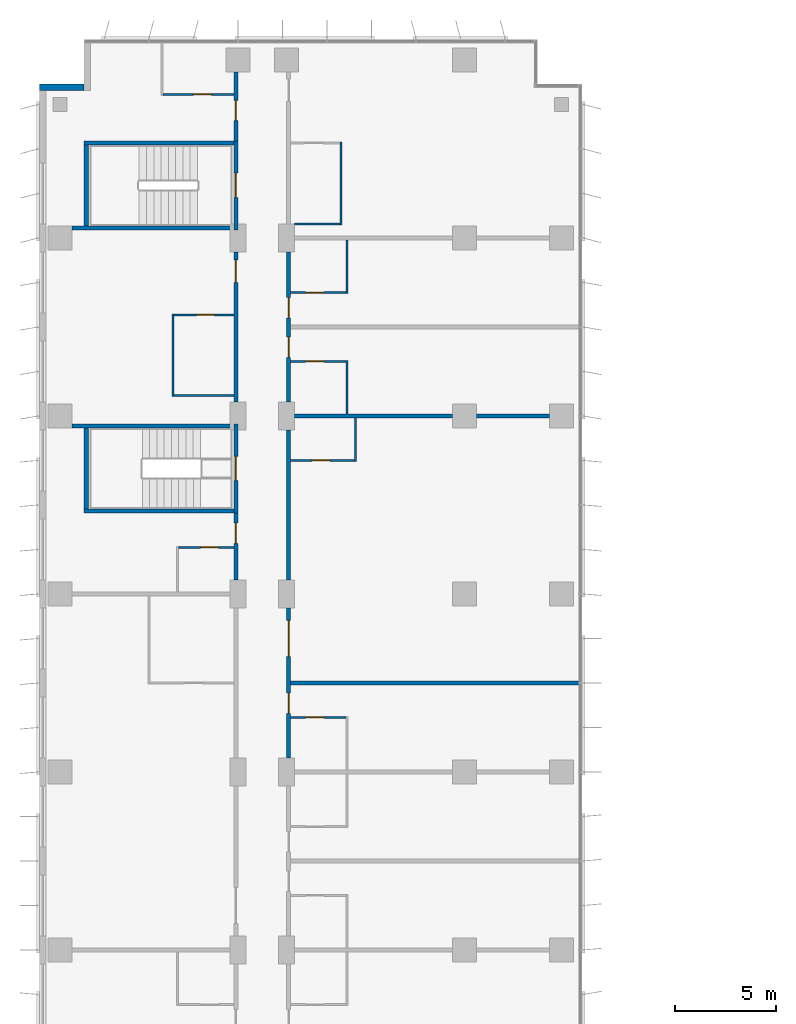
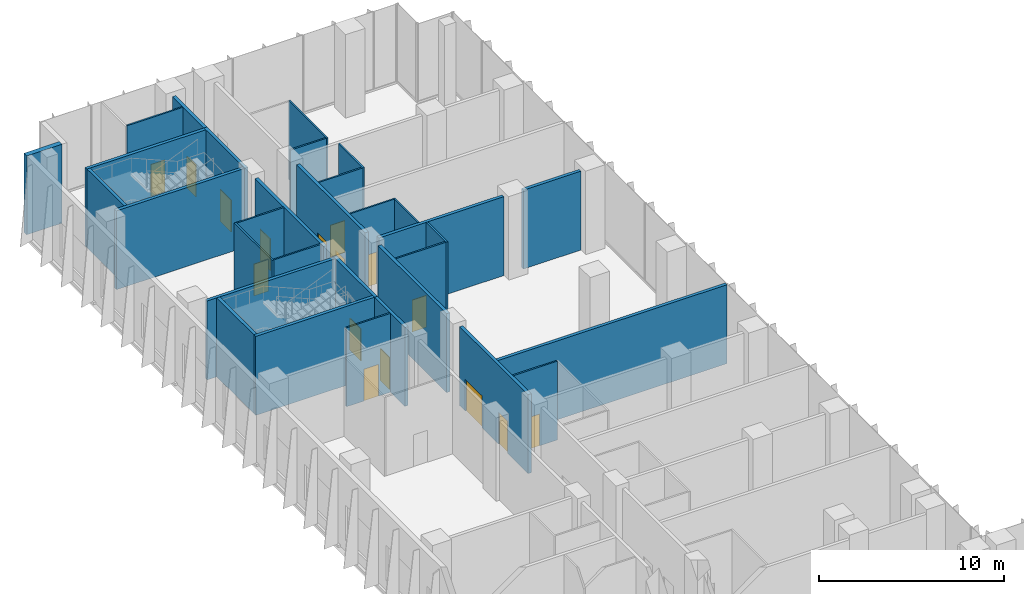
# One storey, part 17 of 26: 32 walls, 16 doors, 16 openings.
"""IFC4 building model written with IfcOpenShell, lengths in metres."""

from ifc_helpers import new_model, si_unit, direction, frame, frame_2d, origin, place, context, subcontext, project, spatial, rectangle, extrude, material, layer, layer_set, type_object, element, fill, save


model = new_model("IFC4")

# Units and contexts
model_context = context("Model", 3, precision=1e-05, world=origin(), true_north=direction((0.0, 1.0)))
body_context = subcontext(model_context, "Body", "Model", "MODEL_VIEW")
ifc_project = project(units=[si_unit("LENGTHUNIT", "METRE"), si_unit("AREAUNIT", "SQUARE_METRE"), si_unit("VOLUMEUNIT", "CUBIC_METRE"), si_unit("PLANEANGLEUNIT", "RADIAN"), si_unit("MASSUNIT", "GRAM", prefix="KILO")], contexts=[model_context])

# Site, building, storey
site_placement = place(None, origin())
site = spatial("IfcSite", under=ifc_project, at=site_placement, CompositionType="ELEMENT")
building_placement = place(site_placement, origin())
building = spatial("IfcBuilding", under=site, at=building_placement, Name="Kemantara Hotel Tower", CompositionType="ELEMENT")
storey_placement = place(building_placement, frame((0.0, 0.0, 101.89990234375)))
storey = spatial("IfcBuildingStorey", under=building, at=storey_placement, Name="L24", CompositionType="ELEMENT", Elevation=101.89990234375)

# Wall
ifc_material_1 = material(Name="Bronze anodised aluminium cladding on insulated steel stud wall", Category="steel")
ifc_layer_1 = layer(ifc_material_1, 0.300048828125)
ifc_layer_set_1 = layer_set([ifc_layer_1], Name="Bronze anodised aluminium cladding on insulated steel stud wall")
wall_type_1 = type_object("IfcWallType", Name="BRONZE METAL-CLAD EXTERNAL WALL 300", PredefinedType="STANDARD", material=ifc_layer_set_1)
wall_1_placement = place(storey_placement, frame((2.199951171875, 78.85009765625, 0.0), z_axis=(0.0, 0.0, 1.0), x_axis=(-1.0, 0.0, 0.0)))
element("IfcWall", 1, at=wall_1_placement, inside=storey, type_object=wall_type_1, Name="EXTERNAL WALL L24 T2-R03", PredefinedType="STANDARD", context=body_context, shape_type="SweptSolid", body=[
    extrude(rectangle(XDim=2.199951171875, YDim=0.300048828125, at=frame_2d((1.10009765625, 0.0))), origin(), (0.0, 0.0, 1.0), 5.2001953125),
])

# Wall, opening, door
ifc_material_2 = material(Name="Gypsum board partition, steel studs and mineral wool, 200 mm", Category="steel")
ifc_layer_2 = layer(ifc_material_2, 0.199951171875)
ifc_layer_set_2 = layer_set([ifc_layer_2], Name="Gypsum board partition, steel studs and mineral wool, 200 mm")
wall_type_2 = type_object("IfcWallType", Name="CORRIDOR WALL 200", PredefinedType="PARTITIONING", material=ifc_layer_set_2)
wall_2_placement = place(storey_placement, frame((9.699951171875, 54.5, 0.0), z_axis=(0.0, 0.0, 1.0), x_axis=(0.0, 1.0, 0.0)))
wall_2 = element("IfcWall", 2, at=wall_2_placement, inside=storey, type_object=wall_type_2, Name="CORRIDOR WALL 200 020", PredefinedType="PARTITIONING", context=body_context, shape_type="SweptSolid", body=[
    extrude(rectangle(XDim=3.300048828125, YDim=0.199951171875, at=frame_2d((1.64990234375, 0.0))), origin(), (0.0, 0.0, 1.0), 5.2001953125),
])
opening_1_placement = place(wall_2_placement, frame((1.7998046875, 0.0, 0.0)))
opening_1 = element("IfcOpeningElement", 3, at=opening_1_placement, cuts=wall_2, Name="Opening F10-027", PredefinedType="OPENING", context=body_context, shape_type="SweptSolid", body=[
    extrude(rectangle(XDim=1.0, YDim=2.10009765625, at=frame_2d((0.5, 1.050048828125))), frame((0.0, 0.10986328125, 0.0), z_axis=(0.0, -1.0, 0.0), x_axis=(1.0, 0.0, 0.0)), (0.0, 0.0, 1.0), 0.219970703125),
])
ifc_material_3 = material(Name="Hardwood veneer door leaf with steel frame", Category="steel")
door_type_1 = type_object("IfcDoorType", Name="GUEST ROOM DOOR 1000 X 2100 FD30S", OperationType="NOTDEFINED", PredefinedType="DOOR", material=ifc_material_3)
door_1_placement = place(opening_1_placement, origin())
door_1 = element("IfcDoor", 4, at=door_1_placement, inside=storey, type_object=door_type_1, Name="GUEST ROOM DOOR F10-027", OperationType="SINGLE_SWING_RIGHT", OverallHeight=2.10009765625, OverallWidth=1.0, PredefinedType="DOOR", context=body_context, shape_type="SweptSolid", body=[
    extrude(rectangle(XDim=1.0, YDim=2.10009765625, at=frame_2d((0.5, 1.050048828125))), frame((0.0, 0.02490234375, 0.0), z_axis=(0.0, -1.0, 0.0), x_axis=(1.0, 0.0, 0.0)), (0.0, 0.0, 1.0), 0.050048828125),
])
fill(opening_1, door_1)

wall_3_placement = place(storey_placement, frame((9.699951171875, 63.300048828125, 0.0), z_axis=(0.0, 0.0, 1.0), x_axis=(0.0, 1.0, 0.0)))
wall_3 = element("IfcWall", 5, at=wall_3_placement, inside=storey, type_object=wall_type_2, Name="CORRIDOR WALL 200 021", PredefinedType="PARTITIONING", context=body_context, shape_type="SweptSolid", body=[
    extrude(rectangle(XDim=7.39990234375, YDim=0.199951171875, at=frame_2d((3.699951171875, 0.0))), origin(), (0.0, 0.0, 1.0), 5.2001953125),
])
opening_2_placement = place(wall_3_placement, frame((5.89990234375, 0.0, 0.0)))
opening_2 = element("IfcOpeningElement", 6, at=opening_2_placement, cuts=wall_3, Name="Opening F10-029", PredefinedType="OPENING", context=body_context, shape_type="SweptSolid", body=[
    extrude(rectangle(XDim=1.10009765625, YDim=2.10009765625, at=frame_2d((0.550048828125, 1.050048828125))), frame((0.0, 0.10986328125, 0.0), z_axis=(0.0, -1.0, 0.0), x_axis=(1.0, 0.0, 0.0)), (0.0, 0.0, 1.0), 0.219970703125),
])
door_type_2 = type_object("IfcDoorType", Name="SUITE ENTRANCE DOOR 1100 X 2100 FD30S", OperationType="NOTDEFINED", PredefinedType="DOOR", material=ifc_material_3)
door_2_placement = place(opening_2_placement, origin())
door_2 = element("IfcDoor", 7, at=door_2_placement, inside=storey, type_object=door_type_2, Name="SUITE ENTRANCE DOOR F10-029", OperationType="SINGLE_SWING_RIGHT", OverallHeight=2.10009765625, OverallWidth=1.10009765625, PredefinedType="DOOR", context=body_context, shape_type="SweptSolid", body=[
    extrude(rectangle(XDim=1.10009765625, YDim=2.10009765625, at=frame_2d((0.550048828125, 1.050048828125))), frame((0.0, 0.02490234375, 0.0), z_axis=(0.0, -1.0, 0.0), x_axis=(1.0, 0.0, 0.0)), (0.0, 0.0, 1.0), 0.050048828125),
])
fill(opening_2, door_2)

wall_4_placement = place(storey_placement, frame((9.699951171875, 76.199951171875, 0.0), z_axis=(0.0, 0.0, 1.0), x_axis=(0.0, 1.0, 0.0)))
wall_4 = element("IfcWall", 8, at=wall_4_placement, inside=storey, type_object=wall_type_2, Name="CORRIDOR WALL 200 022", PredefinedType="PARTITIONING", context=body_context, shape_type="SweptSolid", body=[
    extrude(rectangle(XDim=3.39990234375, YDim=0.199951171875, at=frame_2d((1.699951171875, 0.0))), origin(), (0.0, 0.0, 1.0), 5.2001953125),
])
opening_3_placement = place(wall_4_placement, frame((1.0, 0.0, 0.0)))
opening_3 = element("IfcOpeningElement", 9, at=opening_3_placement, cuts=wall_4, Name="Opening F10-031", PredefinedType="OPENING", context=body_context, shape_type="SweptSolid", body=[
    extrude(rectangle(XDim=1.0, YDim=2.10009765625, at=frame_2d((0.5, 1.050048828125))), frame((0.0, 0.10986328125, 0.0), z_axis=(0.0, -1.0, 0.0), x_axis=(1.0, 0.0, 0.0)), (0.0, 0.0, 1.0), 0.219970703125),
])
door_3_placement = place(opening_3_placement, origin())
door_3 = element("IfcDoor", 10, at=door_3_placement, inside=storey, type_object=door_type_1, Name="GUEST ROOM DOOR F10-031", OperationType="SINGLE_SWING_LEFT", OverallHeight=2.10009765625, OverallWidth=1.0, PredefinedType="DOOR", context=body_context, shape_type="SweptSolid", body=[
    extrude(rectangle(XDim=1.0, YDim=2.10009765625, at=frame_2d((0.5, 1.050048828125))), frame((0.0, 0.02490234375, 0.0), z_axis=(0.0, -1.0, 0.0), x_axis=(1.0, 0.0, 0.0)), (0.0, 0.0, 1.0), 0.050048828125),
])
fill(opening_3, door_3)

# Wall, openings, doors
wall_5_placement = place(storey_placement, frame((12.300048828125, 53.099853515625, 0.0), z_axis=(0.0, 0.0, 1.0), x_axis=(0.0, -1.0, 0.0)))
wall_5 = element("IfcWall", 11, at=wall_5_placement, inside=storey, type_object=wall_type_2, Name="CORRIDOR WALL 200 034", PredefinedType="PARTITIONING", context=body_context, shape_type="SweptSolid", body=[
    extrude(rectangle(XDim=7.399658203125, YDim=0.199951171875, at=frame_2d((3.69970703125, 0.0))), origin(), (0.0, 0.0, 1.0), 5.2001953125),
])
opening_4_placement = place(wall_5_placement, frame((4.199951171875, 0.0, 0.0)))
opening_4 = element("IfcOpeningElement", 12, at=opening_4_placement, cuts=wall_5, Name="Opening F10-041", PredefinedType="OPENING", context=body_context, shape_type="SweptSolid", body=[
    extrude(rectangle(XDim=1.0, YDim=2.10009765625, at=frame_2d((0.5, 1.050048828125))), frame((0.0, 0.10986328125, 0.0), z_axis=(0.0, -1.0, 0.0), x_axis=(1.0, 0.0, 0.0)), (0.0, 0.0, 1.0), 0.219970703125),
])
opening_5_placement = place(wall_5_placement, frame((0.599853515625, 0.0, 0.0)))
opening_5 = element("IfcOpeningElement", 13, at=opening_5_placement, cuts=wall_5, Name="Opening F10-043", PredefinedType="OPENING", context=body_context, shape_type="SweptSolid", body=[
    extrude(rectangle(XDim=1.800048828125, YDim=2.10009765625, at=frame_2d((0.89990234375, 1.050048828125))), frame((0.0, 0.10986328125, 0.0), z_axis=(0.0, -1.0, 0.0), x_axis=(1.0, 0.0, 0.0)), (0.0, 0.0, 1.0), 0.219970703125),
])
door_4_placement = place(opening_4_placement, origin())
door_4 = element("IfcDoor", 14, at=door_4_placement, inside=storey, type_object=door_type_1, Name="GUEST ROOM DOOR F10-041", OperationType="SINGLE_SWING_LEFT", OverallHeight=2.10009765625, OverallWidth=1.0, PredefinedType="DOOR", context=body_context, shape_type="SweptSolid", body=[
    extrude(rectangle(XDim=1.0, YDim=2.10009765625, at=frame_2d((0.5, 1.050048828125))), frame((0.0, 0.02490234375, 0.0), z_axis=(0.0, -1.0, 0.0), x_axis=(1.0, 0.0, 0.0)), (0.0, 0.0, 1.0), 0.050048828125),
])
fill(opening_4, door_4)
door_type_3 = type_object("IfcDoorType", Name="GUEST ROOM DOOR 1800 X 2100 FD30S", OperationType="NOTDEFINED", PredefinedType="DOOR", material=ifc_material_3)
door_5_placement = place(opening_5_placement, origin())
door_5 = element("IfcDoor", 15, at=door_5_placement, inside=storey, type_object=door_type_3, Name="GUEST ROOM DOOR F10-043", OperationType="DOUBLE_DOOR_SINGLE_SWING", OverallHeight=2.10009765625, OverallWidth=1.800048828125, PredefinedType="DOOR", context=body_context, shape_type="SweptSolid", body=[
    extrude(rectangle(XDim=1.800048828125, YDim=2.10009765625, at=frame_2d((0.89990234375, 1.050048828125))), frame((0.0, 0.02490234375, 0.0), z_axis=(0.0, -1.0, 0.0), x_axis=(1.0, 0.0, 0.0)), (0.0, 0.0, 1.0), 0.050048828125),
])
fill(opening_5, door_5)

# Wall
wall_6_placement = place(storey_placement, frame((12.300048828125, 54.5, 0.0), z_axis=(0.0, 0.0, 1.0), x_axis=(0.0, 1.0, 0.0)))
element("IfcWall", 16, at=wall_6_placement, inside=storey, type_object=wall_type_2, Name="CORRIDOR WALL 200 035", PredefinedType="PARTITIONING", context=body_context, shape_type="SweptSolid", body=[
    extrude(rectangle(XDim=7.39990234375, YDim=0.199951171875, at=frame_2d((3.699951171875, 0.0))), origin(), (0.0, 0.0, 1.0), 5.2001953125),
])

# Wall, openings, doors
wall_7_placement = place(storey_placement, frame((12.300048828125, 70.699951171875, 0.0), z_axis=(0.0, 0.0, 1.0), x_axis=(0.0, -1.0, 0.0)))
wall_7 = element("IfcWall", 17, at=wall_7_placement, inside=storey, type_object=wall_type_2, Name="CORRIDOR WALL 200 036", PredefinedType="PARTITIONING", context=body_context, shape_type="SweptSolid", body=[
    extrude(rectangle(XDim=7.39990234375, YDim=0.199951171875, at=frame_2d((3.699951171875, 0.0))), origin(), (0.0, 0.0, 1.0), 5.2001953125),
])
opening_6_placement = place(wall_7_placement, frame((4.199951171875, 0.0, 0.0)))
opening_6 = element("IfcOpeningElement", 18, at=opening_6_placement, cuts=wall_7, Name="Opening F10-045", PredefinedType="OPENING", context=body_context, shape_type="SweptSolid", body=[
    extrude(rectangle(XDim=1.0, YDim=2.10009765625, at=frame_2d((0.5, 1.050048828125))), frame((0.0, 0.10986328125, 0.0), z_axis=(0.0, -1.0, 0.0), x_axis=(1.0, 0.0, 0.0)), (0.0, 0.0, 1.0), 0.219970703125),
])
opening_7_placement = place(wall_7_placement, frame((2.25, 0.0, 0.0)))
opening_7 = element("IfcOpeningElement", 19, at=opening_7_placement, cuts=wall_7, Name="Opening F10-047", PredefinedType="OPENING", context=body_context, shape_type="SweptSolid", body=[
    extrude(rectangle(XDim=1.0, YDim=2.10009765625, at=frame_2d((0.5, 1.050048828125))), frame((0.0, 0.10986328125, 0.0), z_axis=(0.0, -1.0, 0.0), x_axis=(1.0, 0.0, 0.0)), (0.0, 0.0, 1.0), 0.219970703125),
])
door_6_placement = place(opening_6_placement, origin())
door_6 = element("IfcDoor", 20, at=door_6_placement, inside=storey, type_object=door_type_1, Name="GUEST ROOM DOOR F10-045", OperationType="SINGLE_SWING_LEFT", OverallHeight=2.10009765625, OverallWidth=1.0, PredefinedType="DOOR", context=body_context, shape_type="SweptSolid", body=[
    extrude(rectangle(XDim=1.0, YDim=2.10009765625, at=frame_2d((0.5, 1.050048828125))), frame((0.0, 0.02490234375, 0.0), z_axis=(0.0, -1.0, 0.0), x_axis=(1.0, 0.0, 0.0)), (0.0, 0.0, 1.0), 0.050048828125),
])
fill(opening_6, door_6)
door_7_placement = place(opening_7_placement, origin())
door_7 = element("IfcDoor", 21, at=door_7_placement, inside=storey, type_object=door_type_1, Name="GUEST ROOM DOOR F10-047", OperationType="SINGLE_SWING_RIGHT", OverallHeight=2.10009765625, OverallWidth=1.0, PredefinedType="DOOR", context=body_context, shape_type="SweptSolid", body=[
    extrude(rectangle(XDim=1.0, YDim=2.10009765625, at=frame_2d((0.5, 1.050048828125))), frame((0.0, 0.02490234375, 0.0), z_axis=(0.0, -1.0, 0.0), x_axis=(1.0, 0.0, 0.0)), (0.0, 0.0, 1.0), 0.050048828125),
])
fill(opening_7, door_7)

# Wall, opening, door
ifc_material_4 = material(Name="Concrete fc 40 MPa", Category="concrete")
ifc_layer_3 = layer(ifc_material_4, 0.199951171875)
ifc_layer_set_3 = layer_set([ifc_layer_3], Name="Concrete fc 40 MPa")
wall_type_3 = type_object("IfcWallType", Name="Concrete stair wall 200 mm", PredefinedType="SHEAR", material=ifc_layer_set_3)
wall_8_placement = place(storey_placement, frame((9.699951171875, 57.800048828125, 0.0), z_axis=(0.0, 0.0, 1.0), x_axis=(0.0, 1.0, 0.0)))
wall_8 = element("IfcWall", 22, at=wall_8_placement, inside=storey, type_object=wall_type_3, Name="Stair ST4 enclosure wall with door", PredefinedType="SHEAR", context=body_context, shape_type="SweptSolid", body=[
    extrude(rectangle(XDim=4.39990234375, YDim=0.199951171875, at=frame_2d((2.199951171875, 0.0))), origin(), (0.0, 0.0, 1.0), 5.2001953125),
])
opening_8_placement = place(wall_8_placement, frame((1.60009765625, 0.0, 0.0)))
opening_8 = element("IfcOpeningElement", 23, at=opening_8_placement, cuts=wall_8, Name="Opening ST4-C", PredefinedType="OPENING", context=body_context, shape_type="SweptSolid", body=[
    extrude(rectangle(XDim=1.199951171875, YDim=2.10009765625, at=frame_2d((0.60009765625, 1.050048828125))), frame((0.0, 0.10986328125, 0.0), z_axis=(0.0, -1.0, 0.0), x_axis=(1.0, 0.0, 0.0)), (0.0, 0.0, 1.0), 0.219970703125),
])
ifc_material_5 = material(Name="Steel fire door", Category="steel")
door_type_4 = type_object("IfcDoorType", Name="Fire door FD90 1200 x 2100", OperationType="NOTDEFINED", PredefinedType="DOOR", material=ifc_material_5)
door_8_placement = place(opening_8_placement, origin())
door_8 = element("IfcDoor", 24, at=door_8_placement, inside=storey, type_object=door_type_4, Name="Stair ST4 door", OperationType="SINGLE_SWING_RIGHT", OverallHeight=2.10009765625, OverallWidth=1.199951171875, PredefinedType="DOOR", context=body_context, shape_type="SweptSolid", body=[
    extrude(rectangle(XDim=1.199951171875, YDim=2.10009765625, at=frame_2d((0.60009765625, 1.050048828125))), frame((0.0, 0.02490234375, 0.0), z_axis=(0.0, -1.0, 0.0), x_axis=(1.0, 0.0, 0.0)), (0.0, 0.0, 1.0), 0.050048828125),
])
fill(opening_8, door_8)

# Walls
wall_9_placement = place(storey_placement, frame((1.60009765625, 62.10009765625, 0.0), z_axis=(0.0, 0.0, 1.0), x_axis=(1.0, 0.0, 0.0)))
element("IfcWall", 25, at=wall_9_placement, inside=storey, type_object=wall_type_3, Name="Stair ST4 enclosure wall N", PredefinedType="SHEAR", context=body_context, shape_type="SweptSolid", body=[
    extrude(rectangle(XDim=8.0, YDim=0.199951171875, at=frame_2d((4.0, 0.0))), origin(), (0.0, 0.0, 1.0), 5.2001953125),
])
wall_10_placement = place(storey_placement, frame((2.199951171875, 57.89990234375, 0.0), z_axis=(0.0, 0.0, 1.0), x_axis=(1.0, 0.0, 0.0)))
element("IfcWall", 26, at=wall_10_placement, inside=storey, type_object=wall_type_3, Name="Stair ST4 enclosure wall S", PredefinedType="SHEAR", context=body_context, shape_type="SweptSolid", body=[
    extrude(rectangle(XDim=7.400146484375, YDim=0.199951171875, at=frame_2d((3.7001953125, 0.0))), origin(), (0.0, 0.0, 1.0), 5.2001953125),
])
wall_11_placement = place(storey_placement, frame((2.300048828125, 58.0, 0.0), z_axis=(0.0, 0.0, 1.0), x_axis=(0.0, 1.0, 0.0)))
element("IfcWall", 27, at=wall_11_placement, inside=storey, type_object=wall_type_3, Name="Stair ST4 enclosure wall W", PredefinedType="SHEAR", context=body_context, shape_type="SweptSolid", body=[
    extrude(rectangle(XDim=4.0, YDim=0.199951171875, at=frame_2d((2.0, 0.0))), origin(), (0.0, 0.0, 1.0), 5.2001953125),
])

# Wall, opening, door
wall_12_placement = place(storey_placement, frame((9.699951171875, 71.800048828125, 0.0), z_axis=(0.0, 0.0, 1.0), x_axis=(0.0, 1.0, 0.0)))
wall_12 = element("IfcWall", 28, at=wall_12_placement, inside=storey, type_object=wall_type_3, Name="Stair ST6 enclosure wall with door", PredefinedType="SHEAR", context=body_context, shape_type="SweptSolid", body=[
    extrude(rectangle(XDim=4.39990234375, YDim=0.199951171875, at=frame_2d((2.199951171875, 0.0))), origin(), (0.0, 0.0, 1.0), 5.2001953125),
])
opening_9_placement = place(wall_12_placement, frame((1.60009765625, 0.0, 0.0)))
opening_9 = element("IfcOpeningElement", 29, at=opening_9_placement, cuts=wall_12, Name="Opening ST6-C", PredefinedType="OPENING", context=body_context, shape_type="SweptSolid", body=[
    extrude(rectangle(XDim=1.199951171875, YDim=2.10009765625, at=frame_2d((0.60009765625, 1.050048828125))), frame((0.0, 0.10986328125, 0.0), z_axis=(0.0, -1.0, 0.0), x_axis=(1.0, 0.0, 0.0)), (0.0, 0.0, 1.0), 0.219970703125),
])
door_9_placement = place(opening_9_placement, origin())
door_9 = element("IfcDoor", 30, at=door_9_placement, inside=storey, type_object=door_type_4, Name="Stair ST6 door", OperationType="SINGLE_SWING_RIGHT", OverallHeight=2.10009765625, OverallWidth=1.199951171875, PredefinedType="DOOR", context=body_context, shape_type="SweptSolid", body=[
    extrude(rectangle(XDim=1.199951171875, YDim=2.10009765625, at=frame_2d((0.60009765625, 1.050048828125))), frame((0.0, 0.02490234375, 0.0), z_axis=(0.0, -1.0, 0.0), x_axis=(1.0, 0.0, 0.0)), (0.0, 0.0, 1.0), 0.050048828125),
])
fill(opening_9, door_9)

# Walls
wall_13_placement = place(storey_placement, frame((2.199951171875, 76.10009765625, 0.0), z_axis=(0.0, 0.0, 1.0), x_axis=(1.0, 0.0, 0.0)))
element("IfcWall", 31, at=wall_13_placement, inside=storey, type_object=wall_type_3, Name="Stair ST6 enclosure wall N", PredefinedType="SHEAR", context=body_context, shape_type="SweptSolid", body=[
    extrude(rectangle(XDim=7.400146484375, YDim=0.199951171875, at=frame_2d((3.7001953125, 0.0))), origin(), (0.0, 0.0, 1.0), 5.2001953125),
])
wall_14_placement = place(storey_placement, frame((1.60009765625, 71.89990234375, 0.0), z_axis=(0.0, 0.0, 1.0), x_axis=(1.0, 0.0, 0.0)))
element("IfcWall", 32, at=wall_14_placement, inside=storey, type_object=wall_type_3, Name="Stair ST6 enclosure wall S", PredefinedType="SHEAR", context=body_context, shape_type="SweptSolid", body=[
    extrude(rectangle(XDim=8.0, YDim=0.199951171875, at=frame_2d((4.0, 0.0))), origin(), (0.0, 0.0, 1.0), 5.2001953125),
])
wall_15_placement = place(storey_placement, frame((2.300048828125, 72.0, 0.0), z_axis=(0.0, 0.0, 1.0), x_axis=(0.0, 1.0, 0.0)))
element("IfcWall", 33, at=wall_15_placement, inside=storey, type_object=wall_type_3, Name="Stair ST6 enclosure wall W", PredefinedType="SHEAR", context=body_context, shape_type="SweptSolid", body=[
    extrude(rectangle(XDim=4.0, YDim=0.199951171875, at=frame_2d((2.0, 0.0))), origin(), (0.0, 0.0, 1.0), 5.2001953125),
])
ifc_layer_4 = layer(ifc_material_2, 0.199951171875)
ifc_layer_set_4 = layer_set([ifc_layer_4], Name="Gypsum board partition, steel studs and mineral wool, 200 mm")
wall_type_4 = type_object("IfcWallType", Name="GUEST ROOM PARTY WALL 200", PredefinedType="PARTITIONING", material=ifc_layer_set_4)
wall_16_placement = place(storey_placement, frame((12.39990234375, 49.39990234375, 0.0), z_axis=(0.0, 0.0, 1.0), x_axis=(1.0, 0.0, 0.0)))
element("IfcWall", 34, at=wall_16_placement, inside=storey, type_object=wall_type_4, Name="GUEST ROOM PARTY WALL 200 043", PredefinedType="PARTITIONING", context=body_context, shape_type="SweptSolid", body=[
    extrude(rectangle(XDim=14.27001953125, YDim=0.199951171875, at=frame_2d((7.135009765625, 0.0))), origin(), (0.0, 0.0, 1.0), 5.2001953125),
])
wall_17_placement = place(storey_placement, frame((12.60009765625, 62.60009765625, 0.0), z_axis=(0.0, 0.0, 1.0), x_axis=(1.0, 0.0, 0.0)))
element("IfcWall", 35, at=wall_17_placement, inside=storey, type_object=wall_type_4, Name="GUEST ROOM PARTY WALL 200 044", PredefinedType="PARTITIONING", context=body_context, shape_type="SweptSolid", body=[
    extrude(rectangle(XDim=7.7998046875, YDim=0.199951171875, at=frame_2d((3.89990234375, 0.0))), origin(), (0.0, 0.0, 1.0), 5.2001953125),
])
wall_18_placement = place(storey_placement, frame((21.60009765625, 62.60009765625, 0.0), z_axis=(0.0, 0.0, 1.0), x_axis=(1.0, 0.0, 0.0)))
element("IfcWall", 36, at=wall_18_placement, inside=storey, type_object=wall_type_4, Name="GUEST ROOM PARTY WALL 200 045", PredefinedType="PARTITIONING", context=body_context, shape_type="SweptSolid", body=[
    extrude(rectangle(XDim=3.599853515625, YDim=0.199951171875, at=frame_2d((1.7998046875, 0.0))), origin(), (0.0, 0.0, 1.0), 5.2001953125),
])

# Wall, opening, door
ifc_material_6 = material(Name="Gypsum board partition on steel studs, 100 mm", Category="steel")
ifc_layer_5 = layer(ifc_material_6, 0.10009765625)
ifc_layer_set_5 = layer_set([ifc_layer_5], Name="Gypsum board partition on steel studs, 100 mm")
wall_type_5 = type_object("IfcWallType", Name="ROOM PARTITION 100", PredefinedType="PARTITIONING", material=ifc_layer_set_5)
wall_19_placement = place(storey_placement, frame((9.60009765625, 56.10009765625, 0.0), z_axis=(0.0, 0.0, 1.0), x_axis=(-1.0, 0.0, 0.0)))
wall_19 = element("IfcWall", 37, at=wall_19_placement, inside=storey, type_object=wall_type_5, Name="ROOM PARTITION 100 077", PredefinedType="PARTITIONING", context=body_context, shape_type="SweptSolid", body=[
    extrude(rectangle(XDim=2.75, YDim=0.10009765625, at=frame_2d((1.375, 0.0))), origin(), (0.0, 0.0, 1.0), 5.2001953125),
])
opening_10_placement = place(wall_19_placement, frame((0.75, 0.0, 0.0)))
opening_10 = element("IfcOpeningElement", 38, at=opening_10_placement, cuts=wall_19, Name="Opening F10-028", PredefinedType="OPENING", context=body_context, shape_type="SweptSolid", body=[
    extrude(rectangle(XDim=0.89990234375, YDim=2.10009765625, at=frame_2d((0.449951171875, 1.050048828125))), frame((0.0, 0.06005859375, 0.0), z_axis=(0.0, -1.0, 0.0), x_axis=(1.0, 0.0, 0.0)), (0.0, 0.0, 1.0), 0.1201171875),
])
door_type_5 = type_object("IfcDoorType", Name="BATHROOM DOOR 900 X 2100", OperationType="NOTDEFINED", PredefinedType="DOOR", material=ifc_material_3)
door_10_placement = place(opening_10_placement, origin())
door_10 = element("IfcDoor", 39, at=door_10_placement, inside=storey, type_object=door_type_5, Name="BATHROOM DOOR F10-028", OperationType="SINGLE_SWING_LEFT", OverallHeight=2.10009765625, OverallWidth=0.89990234375, PredefinedType="DOOR", context=body_context, shape_type="SweptSolid", body=[
    extrude(rectangle(XDim=0.89990234375, YDim=2.10009765625, at=frame_2d((0.449951171875, 1.050048828125))), frame((0.0, 0.02490234375, 0.0), z_axis=(0.0, -1.0, 0.0), x_axis=(1.0, 0.0, 0.0)), (0.0, 0.0, 1.0), 0.050048828125),
])
fill(opening_10, door_10)

# Walls
wall_20_placement = place(storey_placement, frame((6.60009765625, 63.550048828125, 0.0), z_axis=(0.0, 0.0, 1.0), x_axis=(0.0, 1.0, 0.0)))
element("IfcWall", 40, at=wall_20_placement, inside=storey, type_object=wall_type_5, Name="ROOM PARTITION 100 078", PredefinedType="PARTITIONING", context=body_context, shape_type="SweptSolid", body=[
    extrude(rectangle(XDim=4.099853515625, YDim=0.10009765625, at=frame_2d((2.0498046875, 0.0))), origin(), (0.0, 0.0, 1.0), 5.2001953125),
])
wall_21_placement = place(storey_placement, frame((6.64990234375, 63.60009765625, 0.0), z_axis=(0.0, 0.0, 1.0), x_axis=(1.0, 0.0, 0.0)))
element("IfcWall", 41, at=wall_21_placement, inside=storey, type_object=wall_type_5, Name="ROOM PARTITION 100 079", PredefinedType="PARTITIONING", context=body_context, shape_type="SweptSolid", body=[
    extrude(rectangle(XDim=2.9501953125, YDim=0.10009765625, at=frame_2d((1.47509765625, 0.0))), origin(), (0.0, 0.0, 1.0), 5.2001953125),
])

# Wall, opening, door
wall_22_placement = place(storey_placement, frame((9.60009765625, 67.60009765625, 0.0), z_axis=(0.0, 0.0, 1.0), x_axis=(-1.0, 0.0, 0.0)))
wall_22 = element("IfcWall", 42, at=wall_22_placement, inside=storey, type_object=wall_type_5, Name="ROOM PARTITION 100 080", PredefinedType="PARTITIONING", context=body_context, shape_type="SweptSolid", body=[
    extrude(rectangle(XDim=2.9501953125, YDim=0.10009765625, at=frame_2d((1.47509765625, 0.0))), origin(), (0.0, 0.0, 1.0), 5.2001953125),
])
opening_11_placement = place(wall_22_placement, frame((0.949951171875, 0.0, 0.0)))
opening_11 = element("IfcOpeningElement", 43, at=opening_11_placement, cuts=wall_22, Name="Opening F10-030", PredefinedType="OPENING", context=body_context, shape_type="SweptSolid", body=[
    extrude(rectangle(XDim=0.89990234375, YDim=2.10009765625, at=frame_2d((0.449951171875, 1.050048828125))), frame((0.0, 0.06005859375, 0.0), z_axis=(0.0, -1.0, 0.0), x_axis=(1.0, 0.0, 0.0)), (0.0, 0.0, 1.0), 0.1201171875),
])
door_11_placement = place(opening_11_placement, origin())
door_11 = element("IfcDoor", 44, at=door_11_placement, inside=storey, type_object=door_type_5, Name="BATHROOM DOOR F10-030", OperationType="SINGLE_SWING_LEFT", OverallHeight=2.10009765625, OverallWidth=0.89990234375, PredefinedType="DOOR", context=body_context, shape_type="SweptSolid", body=[
    extrude(rectangle(XDim=0.89990234375, YDim=2.10009765625, at=frame_2d((0.449951171875, 1.050048828125))), frame((0.0, 0.02490234375, 0.0), z_axis=(0.0, -1.0, 0.0), x_axis=(1.0, 0.0, 0.0)), (0.0, 0.0, 1.0), 0.050048828125),
])
fill(opening_11, door_11)

wall_23_placement = place(storey_placement, frame((6.10009765625, 78.5, 0.0), z_axis=(0.0, 0.0, 1.0), x_axis=(1.0, 0.0, 0.0)))
wall_23 = element("IfcWall", 45, at=wall_23_placement, inside=storey, type_object=wall_type_5, Name="ROOM PARTITION 100 081", PredefinedType="PARTITIONING", context=body_context, shape_type="SweptSolid", body=[
    extrude(rectangle(XDim=3.5, YDim=0.10009765625, at=frame_2d((1.75, 0.0))), origin(), (0.0, 0.0, 1.0), 5.2001953125),
])
opening_12_placement = place(wall_23_placement, frame((1.5, 0.0, 0.0)))
opening_12 = element("IfcOpeningElement", 46, at=opening_12_placement, cuts=wall_23, Name="Opening F10-032", PredefinedType="OPENING", context=body_context, shape_type="SweptSolid", body=[
    extrude(rectangle(XDim=0.89990234375, YDim=2.10009765625, at=frame_2d((0.449951171875, 1.050048828125))), frame((0.0, 0.06005859375, 0.0), z_axis=(0.0, -1.0, 0.0), x_axis=(1.0, 0.0, 0.0)), (0.0, 0.0, 1.0), 0.1201171875),
])
door_12_placement = place(opening_12_placement, origin())
door_12 = element("IfcDoor", 47, at=door_12_placement, inside=storey, type_object=door_type_5, Name="BATHROOM DOOR F10-032", OperationType="SINGLE_SWING_RIGHT", OverallHeight=2.10009765625, OverallWidth=0.89990234375, PredefinedType="DOOR", context=body_context, shape_type="SweptSolid", body=[
    extrude(rectangle(XDim=0.89990234375, YDim=2.10009765625, at=frame_2d((0.449951171875, 1.050048828125))), frame((0.0, 0.02490234375, 0.0), z_axis=(0.0, -1.0, 0.0), x_axis=(1.0, 0.0, 0.0)), (0.0, 0.0, 1.0), 0.050048828125),
])
fill(opening_12, door_12)

# Walls
for number, where, z_axis, x_axis, name in (
    (48, (15.199951171875, 62.699951171875, 0.0), (0.0, 0.0, 1.0), (0.0, 1.0, 0.0), "ROOM PARTITION 100 088"),
    (49, (15.199951171875, 68.64990234375, 0.0), (0.0, 0.0, 1.0), (0.0, 1.0, 0.0), "ROOM PARTITION 100 089"),
):
    element("IfcWall", number, at=place(storey_placement, frame(where, z_axis=z_axis, x_axis=x_axis)), inside=storey, type_object=wall_type_5, Name=name, PredefinedType="PARTITIONING", context=body_context, shape_type="SweptSolid", body=[
        extrude(rectangle(XDim=2.650146484375, YDim=0.10009765625, at=frame_2d((1.3251953125, 0.0))), origin(), (0.0, 0.0, 1.0), 5.2001953125),
    ])

# Wall, opening, door
wall_24_placement = place(storey_placement, frame((15.14990234375, 47.699951171875, 0.0), z_axis=(0.0, 0.0, 1.0), x_axis=(-1.0, 0.0, 0.0)))
wall_24 = element("IfcWall", 50, at=wall_24_placement, inside=storey, type_object=wall_type_5, Name="ROOM PARTITION 100 092", PredefinedType="PARTITIONING", context=body_context, shape_type="SweptSolid", body=[
    extrude(rectangle(XDim=2.75, YDim=0.10009765625, at=frame_2d((1.375, 0.0))), origin(), (0.0, 0.0, 1.0), 5.2001953125),
])
opening_13_placement = place(wall_24_placement, frame((1.10009765625, 0.0, 0.0)))
opening_13 = element("IfcOpeningElement", 51, at=opening_13_placement, cuts=wall_24, Name="Opening F10-042", PredefinedType="OPENING", context=body_context, shape_type="SweptSolid", body=[
    extrude(rectangle(XDim=0.89990234375, YDim=2.10009765625, at=frame_2d((0.449951171875, 1.050048828125))), frame((0.0, 0.06005859375, 0.0), z_axis=(0.0, -1.0, 0.0), x_axis=(1.0, 0.0, 0.0)), (0.0, 0.0, 1.0), 0.1201171875),
])
door_13_placement = place(opening_13_placement, origin())
door_13 = element("IfcDoor", 52, at=door_13_placement, inside=storey, type_object=door_type_5, Name="BATHROOM DOOR F10-042", OperationType="SINGLE_SWING_RIGHT", OverallHeight=2.10009765625, OverallWidth=0.89990234375, PredefinedType="DOOR", context=body_context, shape_type="SweptSolid", body=[
    extrude(rectangle(XDim=0.89990234375, YDim=2.10009765625, at=frame_2d((0.449951171875, 1.050048828125))), frame((0.0, 0.02490234375, 0.0), z_axis=(0.0, -1.0, 0.0), x_axis=(1.0, 0.0, 0.0)), (0.0, 0.0, 1.0), 0.050048828125),
])
fill(opening_13, door_13)

# Wall
wall_25_placement = place(storey_placement, frame((15.60009765625, 60.35009765625, 0.0), z_axis=(0.0, 0.0, 1.0), x_axis=(0.0, 1.0, 0.0)))
element("IfcWall", 53, at=wall_25_placement, inside=storey, type_object=wall_type_5, Name="ROOM PARTITION 100 093", PredefinedType="PARTITIONING", context=body_context, shape_type="SweptSolid", body=[
    extrude(rectangle(XDim=2.14990234375, YDim=0.10009765625, at=frame_2d((1.074951171875, 0.0))), origin(), (0.0, 0.0, 1.0), 5.2001953125),
])

# Wall, opening, door
wall_26_placement = place(storey_placement, frame((12.39990234375, 60.39990234375, 0.0), z_axis=(0.0, 0.0, 1.0), x_axis=(1.0, 0.0, 0.0)))
wall_26 = element("IfcWall", 54, at=wall_26_placement, inside=storey, type_object=wall_type_5, Name="ROOM PARTITION 100 094", PredefinedType="PARTITIONING", context=body_context, shape_type="SweptSolid", body=[
    extrude(rectangle(XDim=3.150146484375, YDim=0.10009765625, at=frame_2d((1.5751953125, 0.0))), origin(), (0.0, 0.0, 1.0), 5.2001953125),
])
opening_14_placement = place(wall_26_placement, frame((1.050048828125, 0.0, 0.0)))
opening_14 = element("IfcOpeningElement", 55, at=opening_14_placement, cuts=wall_26, Name="Opening F10-044", PredefinedType="OPENING", context=body_context, shape_type="SweptSolid", body=[
    extrude(rectangle(XDim=0.89990234375, YDim=2.10009765625, at=frame_2d((0.449951171875, 1.050048828125))), frame((0.0, 0.06005859375, 0.0), z_axis=(0.0, -1.0, 0.0), x_axis=(1.0, 0.0, 0.0)), (0.0, 0.0, 1.0), 0.1201171875),
])
door_type_6 = type_object("IfcDoorType", Name="PANTRY DOOR 900 X 2100", OperationType="NOTDEFINED", PredefinedType="DOOR", material=ifc_material_3)
door_14_placement = place(opening_14_placement, origin())
door_14 = element("IfcDoor", 56, at=door_14_placement, inside=storey, type_object=door_type_6, Name="PANTRY DOOR F10-044", OperationType="SINGLE_SWING_LEFT", OverallHeight=2.10009765625, OverallWidth=0.89990234375, PredefinedType="DOOR", context=body_context, shape_type="SweptSolid", body=[
    extrude(rectangle(XDim=0.89990234375, YDim=2.10009765625, at=frame_2d((0.449951171875, 1.050048828125))), frame((0.0, 0.02490234375, 0.0), z_axis=(0.0, -1.0, 0.0), x_axis=(1.0, 0.0, 0.0)), (0.0, 0.0, 1.0), 0.050048828125),
])
fill(opening_14, door_14)

wall_27_placement = place(storey_placement, frame((15.14990234375, 65.300048828125, 0.0), z_axis=(0.0, 0.0, 1.0), x_axis=(-1.0, 0.0, 0.0)))
wall_27 = element("IfcWall", 57, at=wall_27_placement, inside=storey, type_object=wall_type_5, Name="ROOM PARTITION 100 095", PredefinedType="PARTITIONING", context=body_context, shape_type="SweptSolid", body=[
    extrude(rectangle(XDim=2.75, YDim=0.10009765625, at=frame_2d((1.375, 0.0))), origin(), (0.0, 0.0, 1.0), 5.2001953125),
])
opening_15_placement = place(wall_27_placement, frame((1.10009765625, 0.0, 0.0)))
opening_15 = element("IfcOpeningElement", 58, at=opening_15_placement, cuts=wall_27, Name="Opening F10-046", PredefinedType="OPENING", context=body_context, shape_type="SweptSolid", body=[
    extrude(rectangle(XDim=0.89990234375, YDim=2.10009765625, at=frame_2d((0.449951171875, 1.050048828125))), frame((0.0, 0.06005859375, 0.0), z_axis=(0.0, -1.0, 0.0), x_axis=(1.0, 0.0, 0.0)), (0.0, 0.0, 1.0), 0.1201171875),
])
door_15_placement = place(opening_15_placement, origin())
door_15 = element("IfcDoor", 59, at=door_15_placement, inside=storey, type_object=door_type_5, Name="BATHROOM DOOR F10-046", OperationType="SINGLE_SWING_RIGHT", OverallHeight=2.10009765625, OverallWidth=0.89990234375, PredefinedType="DOOR", context=body_context, shape_type="SweptSolid", body=[
    extrude(rectangle(XDim=0.89990234375, YDim=2.10009765625, at=frame_2d((0.449951171875, 1.050048828125))), frame((0.0, 0.02490234375, 0.0), z_axis=(0.0, -1.0, 0.0), x_axis=(1.0, 0.0, 0.0)), (0.0, 0.0, 1.0), 0.050048828125),
])
fill(opening_15, door_15)

wall_28_placement = place(storey_placement, frame((12.39990234375, 68.699951171875, 0.0), z_axis=(0.0, 0.0, 1.0), x_axis=(1.0, 0.0, 0.0)))
wall_28 = element("IfcWall", 60, at=wall_28_placement, inside=storey, type_object=wall_type_5, Name="ROOM PARTITION 100 096", PredefinedType="PARTITIONING", context=body_context, shape_type="SweptSolid", body=[
    extrude(rectangle(XDim=2.75, YDim=0.10009765625, at=frame_2d((1.375, 0.0))), origin(), (0.0, 0.0, 1.0), 5.2001953125),
])
opening_16_placement = place(wall_28_placement, frame((0.75, 0.0, 0.0)))
opening_16 = element("IfcOpeningElement", 61, at=opening_16_placement, cuts=wall_28, Name="Opening F10-048", PredefinedType="OPENING", context=body_context, shape_type="SweptSolid", body=[
    extrude(rectangle(XDim=0.89990234375, YDim=2.10009765625, at=frame_2d((0.449951171875, 1.050048828125))), frame((0.0, 0.06005859375, 0.0), z_axis=(0.0, -1.0, 0.0), x_axis=(1.0, 0.0, 0.0)), (0.0, 0.0, 1.0), 0.1201171875),
])
door_16_placement = place(opening_16_placement, origin())
door_16 = element("IfcDoor", 62, at=door_16_placement, inside=storey, type_object=door_type_5, Name="BATHROOM DOOR F10-048", OperationType="SINGLE_SWING_LEFT", OverallHeight=2.10009765625, OverallWidth=0.89990234375, PredefinedType="DOOR", context=body_context, shape_type="SweptSolid", body=[
    extrude(rectangle(XDim=0.89990234375, YDim=2.10009765625, at=frame_2d((0.449951171875, 1.050048828125))), frame((0.0, 0.02490234375, 0.0), z_axis=(0.0, -1.0, 0.0), x_axis=(1.0, 0.0, 0.0)), (0.0, 0.0, 1.0), 0.050048828125),
])
fill(opening_16, door_16)

# Walls
wall_29_placement = place(storey_placement, frame((14.89990234375, 72.050048828125, 0.0), z_axis=(0.0, 0.0, 1.0), x_axis=(0.0, 1.0, 0.0)))
element("IfcWall", 63, at=wall_29_placement, inside=storey, type_object=wall_type_5, Name="ROOM PARTITION 100 097", PredefinedType="PARTITIONING", context=body_context, shape_type="SweptSolid", body=[
    extrude(rectangle(XDim=4.099853515625, YDim=0.10009765625, at=frame_2d((2.0498046875, 0.0))), origin(), (0.0, 0.0, 1.0), 5.2001953125),
])
wall_30_placement = place(storey_placement, frame((12.60009765625, 72.10009765625, 0.0), z_axis=(0.0, 0.0, 1.0), x_axis=(1.0, 0.0, 0.0)))
element("IfcWall", 64, at=wall_30_placement, inside=storey, type_object=wall_type_5, Name="ROOM PARTITION 100 098", PredefinedType="PARTITIONING", context=body_context, shape_type="SweptSolid", body=[
    extrude(rectangle(XDim=2.25, YDim=0.10009765625, at=frame_2d((1.125, 0.0))), origin(), (0.0, 0.0, 1.0), 5.2001953125),
])

save(model, "model.ifc")
